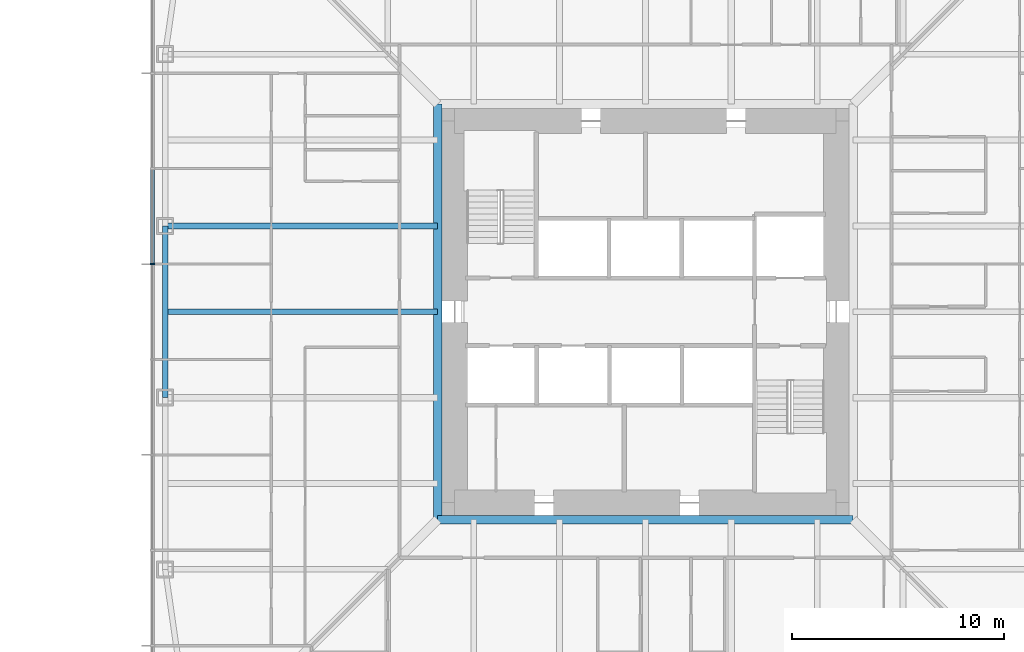
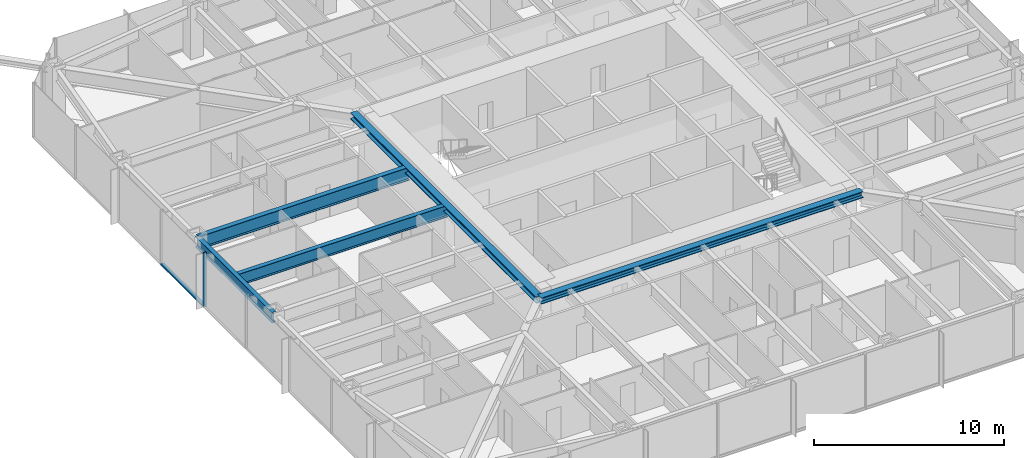
# One storey, part 4 of 26: 5 beams, 2 members, 1 element without a shape of its own.
"""IFC4 building model written with IfcOpenShell, lengths in metres."""

import ifcopenshell
import ifcopenshell.guid

model = None  # the IFC model being written
_history = None  # IfcOwnerHistory: only IFC2X3 demands one
_inside = {}  # id of a spatial element -> (the spatial element, [elements in it])
_under = {}  # id of a project, library or spatial element -> (it, [spatial elements below it])
_declared = {}  # id of a project -> (the project, [libraries it declares])
_typed = {}  # id of a type object -> (the type object, [elements of that type])
_made_of = {}  # id of a material, layer set ... -> (it, [elements and type objects made of it])


def new_model(schema):
    """Start an empty IFC model of exactly this schema.

    Asked for "IFC4X3", IfcOpenShell would pick the latest addendum, in which some entities
    have other attributes; the version numbers below select the first issue.
    IFC2X3 requires an IfcOwnerHistory on every rooted entity: one is made here for all.
    """
    global model, _history
    if schema == "IFC4X3":
        model = ifcopenshell.file(schema_version=(4, 3, 0, 0))
    else:
        model = ifcopenshell.file(schema=schema)
    _inside.clear()
    _under.clear()
    _declared.clear()
    _typed.clear()
    _made_of.clear()
    _history = None
    if model.schema == "IFC2X3":
        org = make("IfcOrganization", Name="unknown")
        user = make(
            "IfcPersonAndOrganization",
            ThePerson=make("IfcPerson", FamilyName="unknown"),
            TheOrganization=org,
        )
        app = make(
            "IfcApplication",
            ApplicationDeveloper=org,
            Version="unknown",
            ApplicationFullName="unknown",
            ApplicationIdentifier="unknown",
        )
        _history = make(
            "IfcOwnerHistory",
            OwningUser=user,
            OwningApplication=app,
            ChangeAction="ADDED",
            CreationDate=0,
        )
    return model


def make(cls, **values):
    """One entity of the class cls with the attributes given. An attribute that is None is left unset."""
    return model.create_entity(
        cls, **{name: value for name, value in values.items() if value is not None}
    )


def rooted(cls, **values):
    """An entity with a GlobalId (a new one), such as an element, a storey or a relation."""
    return make(cls, GlobalId=ifcopenshell.guid.new(), OwnerHistory=_history, **values)


def si_unit(unit_type, name, prefix=None):
    """IfcSIUnit, for example si_unit("LENGTHUNIT", "METRE", prefix="MILLI")."""
    return make("IfcSIUnit", UnitType=unit_type, Prefix=prefix, Name=name)


def assignment(units):
    """IfcUnitAssignment: the units of a project."""
    return None if units is None else make("IfcUnitAssignment", Units=units)


def point(xyz):
    """IfcCartesianPoint."""
    return None if xyz is None else make("IfcCartesianPoint", Coordinates=xyz)


def direction(xyz):
    """IfcDirection."""
    return None if xyz is None else make("IfcDirection", DirectionRatios=xyz)


def frame(location, z_axis=None, x_axis=None):
    """IfcAxis2Placement3D, a coordinate frame: its origin and axes. An axis left out is left unset."""
    return make(
        "IfcAxis2Placement3D",
        Location=point(location),
        Axis=direction(z_axis),
        RefDirection=direction(x_axis),
    )


def frame_2d(location, x_axis=None):
    """IfcAxis2Placement2D, a coordinate frame in the plane: its origin and x axis."""
    return make(
        "IfcAxis2Placement2D", Location=point(location), RefDirection=direction(x_axis)
    )


def origin():
    """The frame at (0, 0, 0) with its axes left unset."""
    return frame((0.0, 0.0, 0.0))


def origin_2d():
    """The frame at (0, 0) in the plane with its x axis left unset."""
    return frame_2d((0.0, 0.0))


def place(relative_to, where):
    """IfcLocalPlacement: puts the frame where relative to a parent placement (None: the world)."""
    return make(
        "IfcLocalPlacement", PlacementRelTo=relative_to, RelativePlacement=where
    )


def context(
    kind, dimensions, precision=None, world=None, true_north=None, identifier=None
):
    """IfcGeometricRepresentationContext, for example the 3D "Model" context."""
    return make(
        "IfcGeometricRepresentationContext",
        ContextIdentifier=identifier,
        ContextType=kind,
        CoordinateSpaceDimension=dimensions,
        Precision=precision,
        WorldCoordinateSystem=world,
        TrueNorth=true_north,
    )


def subcontext(parent, identifier, kind, view, scale=None):
    """IfcGeometricRepresentationSubContext, for example "Body" below "Model"."""
    return make(
        "IfcGeometricRepresentationSubContext",
        ContextIdentifier=identifier,
        ContextType=kind,
        ParentContext=parent,
        TargetScale=scale,
        TargetView=view,
    )


def project(units=None, contexts=None):
    """IfcProject with its units and contexts."""
    return rooted(
        "IfcProject",
        Name="project",
        RepresentationContexts=contexts,
        UnitsInContext=assignment(units),
    )


def spatial(cls, under=None, at=None, **own):
    """A site, building, storey or space (cls), placed at a placement, below another one or the project."""
    s = rooted(cls, ObjectPlacement=at, **own)
    if under is not None:
        _under.setdefault(under.id(), (under, []))[1].append(s)
    return s


def profile(cls, at=None, kind="AREA", **sizes):
    """A parametric profile (cls). Its sizes go by their IFC names, for example OverallWidth=200.0."""
    return make(cls, ProfileType=kind, Position=at, **sizes)


def rectangle(**sizes):
    """IfcRectangleProfileDef."""
    return profile("IfcRectangleProfileDef", **sizes)


def i_section(**sizes):
    """IfcIShapeProfileDef."""
    return profile("IfcIShapeProfileDef", **sizes)


def extrude(swept, where, along, depth):
    """IfcExtrudedAreaSolid: the profile swept, set in the frame where, extruded along a direction by depth."""
    return make(
        "IfcExtrudedAreaSolid",
        SweptArea=swept,
        Position=where,
        ExtrudedDirection=direction(along),
        Depth=depth,
    )


def shape(context_of_items, identifier, shape_type, items):
    """IfcShapeRepresentation: the items that make up one representation, for example the "Body"."""
    return make(
        "IfcShapeRepresentation",
        ContextOfItems=context_of_items,
        RepresentationIdentifier=identifier,
        RepresentationType=shape_type,
        Items=items,
    )


def material(Name=None, Category=None):
    """IfcMaterial."""
    return make("IfcMaterial", Name=Name, Category=Category)


def material_profile(
    of_material, cross_section, Name=None, Category=None, Priority=None
):
    """IfcMaterialProfile: a cross section and its material."""
    return make(
        "IfcMaterialProfile",
        Name=Name,
        Material=of_material,
        Profile=cross_section,
        Priority=Priority,
        Category=Category,
    )


def profile_set(profiles, Name=None, composite=None):
    """IfcMaterialProfileSet."""
    return make(
        "IfcMaterialProfileSet",
        Name=Name,
        MaterialProfiles=profiles,
        CompositeProfile=composite,
    )


def made_of(thing, what):
    """Note that an element or type object is made of a material, layer set ...; save() writes the relation."""
    if what is not None:
        _made_of.setdefault(what.id(), (what, []))[1].append(thing)
    return thing


def type_object(cls, material=None, **own):
    """A type object (cls), such as IfcWallType, which elements share."""
    return made_of(rooted(cls, **own), material)


def element(
    cls,
    number,
    at=None,
    inside=None,
    cuts=None,
    type_object=None,
    material=None,
    context=None,
    identifier="Body",
    shape_type=None,
    held_by="IfcProductDefinitionShape",
    body=None,
    shapes=None,
    **own,
):
    """One element of the class cls, such as IfcWall. Its Tag is "e" and its number.

    at: its placement. inside: the storey or other place that contains it. cuts: it is an
    opening in that element (IfcRelVoidsElement). A single representation is given by context,
    identifier, shape_type and body (its items); several are given by shapes. held_by: the class
    of the entity that holds the representations. save() writes the other relations.
    """
    e = rooted(cls, Tag="e%d" % number, ObjectPlacement=at, **own)
    if body is not None:
        shapes = [shape(context, identifier, shape_type, body)]
    if shapes is not None:
        e.Representation = make(held_by, Representations=shapes)
    if inside is not None:
        _inside.setdefault(inside.id(), (inside, []))[1].append(e)
    if cuts is not None:
        rooted(
            "IfcRelVoidsElement", RelatingBuildingElement=cuts, RelatedOpeningElement=e
        )
    if type_object is not None:
        _typed.setdefault(type_object.id(), (type_object, []))[1].append(e)
    return made_of(e, material)


def aggregate(whole, parts):
    """IfcRelAggregates: a whole, such as a stair, and the parts it consists of."""
    return rooted("IfcRelAggregates", RelatingObject=whole, RelatedObjects=parts)


def save(model, path):
    """Write the relations noted so far, then the file.

    IfcRelAggregates (storeys below a building ...), IfcRelContainedInSpatialStructure (elements
    in a storey), IfcRelDefinesByType, IfcRelAssociatesMaterial and IfcRelDeclares: one each for
    every whole, place, type object, material and project.
    """
    for whole, parts in _under.values():
        aggregate(whole, parts)
    for where, things in _inside.values():
        rooted(
            "IfcRelContainedInSpatialStructure",
            RelatedElements=things,
            RelatingStructure=where,
        )
    for kind, things in _typed.values():
        rooted("IfcRelDefinesByType", RelatedObjects=things, RelatingType=kind)
    for what, things in _made_of.values():
        rooted("IfcRelAssociatesMaterial", RelatedObjects=things, RelatingMaterial=what)
    for by, libraries in _declared.values():
        rooted("IfcRelDeclares", RelatingContext=by, RelatedDefinitions=libraries)
    model.write(path)


model = new_model("IFC4")

# Units and contexts
model_context = context("Model", 3, precision=1e-05, world=origin(), true_north=direction((0.0, 1.0)))
body_context = subcontext(model_context, "Body", "Model", "MODEL_VIEW")
ifc_project = project(units=[si_unit("LENGTHUNIT", "METRE"), si_unit("AREAUNIT", "SQUARE_METRE"), si_unit("VOLUMEUNIT", "CUBIC_METRE"), si_unit("PLANEANGLEUNIT", "RADIAN"), si_unit("MASSUNIT", "GRAM", prefix="KILO")], contexts=[model_context])

# Site, building, storey
site_placement = place(None, origin())
site = spatial("IfcSite", under=ifc_project, at=site_placement, CompositionType="ELEMENT")
building_placement = place(site_placement, origin())
building = spatial("IfcBuilding", under=site, at=building_placement, Name="Iwan Alto Co-Living Towers", CompositionType="ELEMENT")
storey_placement = place(building_placement, frame((0.0, 0.0, 39.5)))
storey = spatial("IfcBuildingStorey", under=building, at=storey_placement, Name="L10", CompositionType="ELEMENT", Elevation=39.5)

# Curtain wall, members
ifc_material_1 = material(Name="Bronze aluminium unitised frame", Category="aluminium")
curtain_wall_type = type_object("IfcCurtainWallType", Name="CURTAIN WALL CW-A", PredefinedType="NOTDEFINED", material=ifc_material_1)
curtain_wall_placement = place(storey_placement, origin())
curtain_wall = element("IfcCurtainWall", 1, at=curtain_wall_placement, inside=storey, type_object=curtain_wall_type, Name="T1 curtain wall W L10", PredefinedType="NOTDEFINED")
ifc_material_2 = material(Name="Aluminium 6063-T6 bronze anodised", Category="aluminium")
ifc_material_profile_1 = material_profile(ifc_material_2, rectangle(XDim=0.199951171875, YDim=0.080078125, at=origin_2d()), Name="AL 80X200")
ifc_profile_set_1 = profile_set([ifc_material_profile_1], Name="Aluminium 6063-T6 bronze anodised")
member_type_1 = type_object("IfcMemberType", Name="CW-A MULLION 80X200", PredefinedType="MULLION", material=ifc_profile_set_1)
member_1_placement = place(storey_placement, frame((-23.25, 2.25, 0.0), z_axis=(0.0, 0.0, 1.0), x_axis=(1.0, 0.0, 0.0)))
member_1 = element("IfcMember", 2, at=member_1_placement, type_object=member_type_1, Name="CW-A mullion 5", PredefinedType="MULLION", context=body_context, shape_type="SweptSolid", body=[
    extrude(rectangle(XDim=0.199951171875, YDim=0.080078125, at=origin_2d()), origin(), (0.0, 0.0, 1.0), 3.5),
])
ifc_material_3 = material(Name="Aluminium 6063-T6 bronze anodised", Category="aluminium")
ifc_material_profile_2 = material_profile(ifc_material_3, rectangle(XDim=0.199951171875, YDim=0.10009765625, at=origin_2d()), Name="AL 200X100")
ifc_profile_set_2 = profile_set([ifc_material_profile_2], Name="Aluminium 6063-T6 bronze anodised")
member_type_2 = type_object("IfcMemberType", Name="CW-A TRANSOM 200X100", PredefinedType="USERDEFINED", material=ifc_profile_set_2)
member_2_placement = place(storey_placement, frame((-23.25, 6.7099609375, 0.050048828125), z_axis=(0.0, -1.0, 0.0), x_axis=(1.0, 0.0, 0.0)))
member_2 = element("IfcMember", 3, at=member_2_placement, type_object=member_type_2, Name="CW-A transom 4.1", ObjectType="TRANSOM", PredefinedType="USERDEFINED", context=body_context, shape_type="SweptSolid", body=[
    extrude(rectangle(XDim=0.199951171875, YDim=0.10009765625, at=origin_2d()), origin(), (0.0, 0.0, 1.0), 4.419921875),
])
aggregate(curtain_wall, [member_1, member_2])

# Beams
ifc_material_4 = material(Name="Steel ASTM A992 Gr 50", Category="steel")
ifc_material_profile_3 = material_profile(ifc_material_4, i_section(OverallWidth=0.40380859375, OverallDepth=0.406494140625, WebThickness=0.027099609375, FlangeThickness=0.043701171875, at=origin_2d()), Name="W14X233")
ifc_profile_set_3 = profile_set([ifc_material_profile_3], Name="Steel ASTM A992 Gr 50")
beam_type_1 = type_object("IfcBeamType", Name="T1 CORE LEDGER BEAM W14X233", PredefinedType="BEAM", material=ifc_profile_set_3)
for number, where, z_axis, x_axis, name in (
    (4, (-9.802001953125, -9.802001953125, 3.06689453125), (1.0, 0.0, 0.0), (0.0, 1.0, 0.0), "T1 core ledger beam S L11"),
    (5, (-9.802001953125, 9.802001953125, 3.06689453125), (0.0, -1.0, 0.0), (1.0, 0.0, 0.0), "T1 core ledger beam W L11"),
):
    element("IfcBeam", number, at=place(storey_placement, frame(where, z_axis=z_axis, x_axis=x_axis)), inside=storey, type_object=beam_type_1, Name=name, PredefinedType="BEAM", context=body_context, shape_type="SweptSolid", body=[
        extrude(i_section(OverallWidth=0.40380859375, OverallDepth=0.406494140625, WebThickness=0.027099609375, FlangeThickness=0.043701171875, at=origin_2d()), origin(), (0.0, 0.0, 1.0), 19.60400390625),
    ])
ifc_material_5 = material(Name="Steel ASTM A992 Gr 50", Category="steel")
ifc_material_profile_4 = material_profile(ifc_material_5, i_section(OverallWidth=0.25390625, OverallDepth=0.683349609375, WebThickness=0.012451171875, FlangeThickness=0.018798828125, at=origin_2d()), Name="W27X94")
ifc_profile_set_4 = profile_set([ifc_material_profile_4], Name="Steel ASTM A992 Gr 50")
beam_type_2 = type_object("IfcBeamType", Name="T1 EDGE BEAM W27X94", PredefinedType="BEAM", material=ifc_profile_set_4)
beam_1_placement = place(storey_placement, frame((-22.64990234375, 4.050048828125, 2.928466796875), z_axis=(0.0, -1.0, 0.0), x_axis=(1.0, 0.0, 0.0)))
element("IfcBeam", 6, at=beam_1_placement, inside=storey, type_object=beam_type_2, Name="T1 edge beam W2 L11", PredefinedType="BEAM", context=body_context, shape_type="SweptSolid", body=[
    extrude(i_section(OverallWidth=0.25390625, OverallDepth=0.683349609375, WebThickness=0.012451171875, FlangeThickness=0.018798828125, at=origin_2d()), origin(), (0.0, 0.0, 1.0), 8.10009765625),
])
ifc_material_6 = material(Name="Steel ASTM A992 Gr 50", Category="steel")
ifc_material_profile_5 = material_profile(ifc_material_6, i_section(OverallWidth=0.2919921875, OverallDepth=0.8408203125, WebThickness=0.0146484375, FlangeThickness=0.021728515625, at=origin_2d()), Name="W33X130")
ifc_profile_set_5 = profile_set([ifc_material_profile_5], Name="Steel ASTM A992 Gr 50")
beam_type_3 = type_object("IfcBeamType", Name="T1 RADIAL BEAM W33X130", PredefinedType="BEAM", material=ifc_profile_set_5)
beam_2_placement = place(storey_placement, frame((-22.64990234375, 4.050048828125, 2.849609375), z_axis=(1.0, 0.0, 0.0), x_axis=(0.0, 1.0, 0.0)))
element("IfcBeam", 7, at=beam_2_placement, inside=storey, type_object=beam_type_3, Name="T1 radial beam W2 L11", PredefinedType="BEAM", context=body_context, shape_type="SweptSolid", body=[
    extrude(i_section(OverallWidth=0.2919921875, OverallDepth=0.8408203125, WebThickness=0.0146484375, FlangeThickness=0.021728515625, at=origin_2d()), origin(), (0.0, 0.0, 1.0), 12.847900390625),
])
ifc_material_7 = material(Name="Steel ASTM A992 Gr 50", Category="steel")
ifc_material_profile_6 = material_profile(ifc_material_7, i_section(OverallWidth=0.2666015625, OverallDepth=0.761962890625, WebThickness=0.014404296875, FlangeThickness=0.021484375, at=origin_2d()), Name="W30X116")
ifc_profile_set_6 = profile_set([ifc_material_profile_6], Name="Steel ASTM A992 Gr 50")
beam_type_4 = type_object("IfcBeamType", Name="T1 SECONDARY BEAM W30X116", PredefinedType="JOIST", material=ifc_profile_set_6)
beam_3_placement = place(storey_placement, frame((-22.64990234375, 0.0, 2.888916015625), z_axis=(1.0, 0.0, 0.0), x_axis=(0.0, 1.0, 0.0)))
element("IfcBeam", 8, at=beam_3_placement, inside=storey, type_object=beam_type_4, Name="T1 secondary beam W2 L11", PredefinedType="JOIST", context=body_context, shape_type="SweptSolid", body=[
    extrude(i_section(OverallWidth=0.2666015625, OverallDepth=0.761962890625, WebThickness=0.014404296875, FlangeThickness=0.021484375, at=origin_2d()), origin(), (0.0, 0.0, 1.0), 12.847900390625),
])

save(model, "model.ifc")
